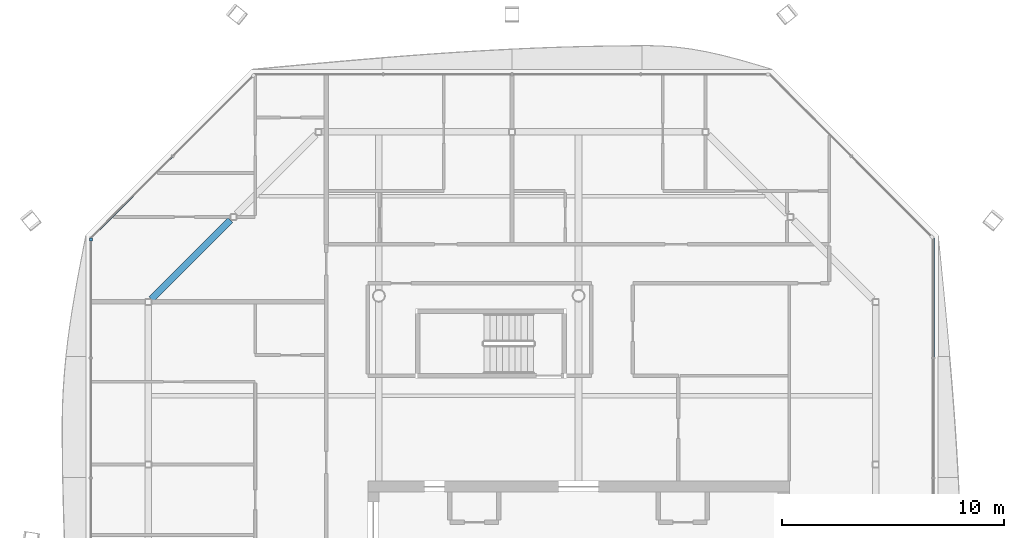
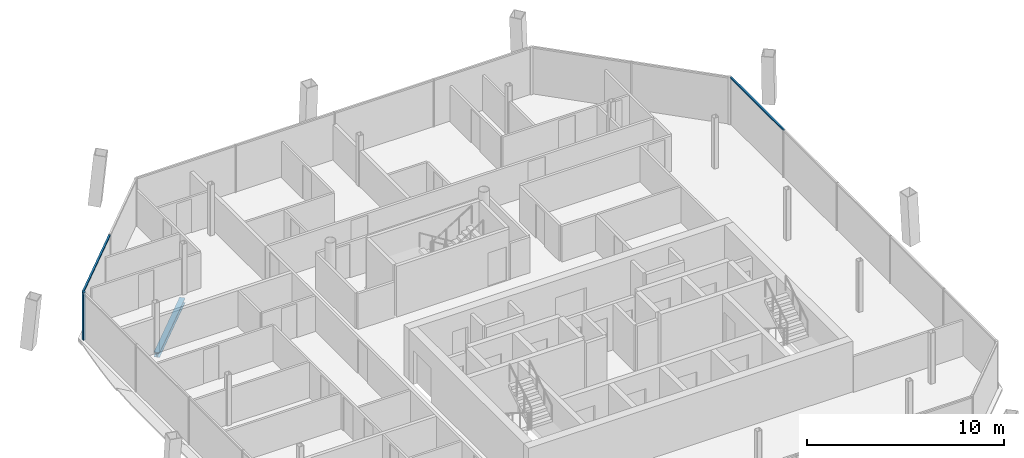
# One storey, part 8 of 18: 3 members, 1 beam, 3 elements without a shape of their own.
"""IFC4 building model written with IfcOpenShell, lengths in metres."""

from ifc_helpers import new_model, si_unit, direction, frame, origin, origin_2d, place, context, subcontext, project, spatial, rectangle, i_section, extrude, material, material_profile, profile_set, type_object, element, aggregate, save


model = new_model("IFC4")

# Units and contexts
model_context = context("Model", 3, precision=1e-05, world=origin(), true_north=direction((0.0, 1.0)))
body_context = subcontext(model_context, "Body", "Model", "MODEL_VIEW")
ifc_project = project(units=[si_unit("LENGTHUNIT", "METRE"), si_unit("AREAUNIT", "SQUARE_METRE"), si_unit("VOLUMEUNIT", "CUBIC_METRE"), si_unit("PLANEANGLEUNIT", "RADIAN"), si_unit("MASSUNIT", "GRAM", prefix="KILO")], contexts=[model_context])

# Site, building, storey
site_placement = place(None, origin())
site = spatial("IfcSite", under=ifc_project, at=site_placement, CompositionType="ELEMENT")
building_placement = place(site_placement, origin())
building = spatial("IfcBuilding", under=site, at=building_placement, Name="Tskaro Facet Tower", CompositionType="ELEMENT")
storey_placement = place(building_placement, frame((0.0, 0.0, 223.5)))
storey = spatial("IfcBuildingStorey", under=building, at=storey_placement, Name="L57", CompositionType="ELEMENT", Elevation=223.5)

# Curtain wall, member
ifc_material_1 = material(Name="Bronze anodised aluminium 6063-T6", Category="aluminium")
curtain_wall_type = type_object("IfcCurtainWallType", Name="Bronze residence curtain wall (FW3)", PredefinedType="NOTDEFINED", material=ifc_material_1)
curtain_wall_1_placement = place(storey_placement, origin())
curtain_wall_1 = element("IfcCurtainWall", 1, at=curtain_wall_1_placement, inside=storey, type_object=curtain_wall_type, Name="FW3 west facet L57", PredefinedType="NOTDEFINED")
ifc_material_profile_1 = material_profile(ifc_material_1, rectangle(XDim=0.139892578125, YDim=0.139892578125, at=origin_2d()), Name="Corner post 140x140")
ifc_profile_set_1 = profile_set([ifc_material_profile_1], Name="Bronze anodised aluminium 6063-T6")
member_type_1 = type_object("IfcMemberType", Name="FW3 bronze corner post 140x140", PredefinedType="MULLION", material=ifc_profile_set_1)
member_1_placement = place(storey_placement, frame((-21.985107421875, 11.5390625, 0.0), z_axis=(0.0, 0.0, 1.0), x_axis=(0.0, -1.0, 0.0)))
member_1 = element("IfcMember", 2, at=member_1_placement, type_object=member_type_1, Name="FW3 west corner post", PredefinedType="MULLION", context=body_context, shape_type="SweptSolid", body=[
    extrude(rectangle(XDim=0.139892578125, YDim=0.139892578125, at=origin_2d()), origin(), (0.0, 0.0, 1.0), 2.949951171875),
])
aggregate(curtain_wall_1, [member_1])

curtain_wall_2_placement = place(storey_placement, origin())
curtain_wall_2 = element("IfcCurtainWall", 3, at=curtain_wall_2_placement, inside=storey, type_object=curtain_wall_type, Name="FW3 east facet L57", PredefinedType="NOTDEFINED")
ifc_material_profile_2 = material_profile(ifc_material_1, rectangle(XDim=0.10009765625, YDim=0.090087890625, at=origin_2d()), Name="Transom 100x90")
ifc_profile_set_2 = profile_set([ifc_material_profile_2], Name="Bronze anodised aluminium 6063-T6")
member_type_2 = type_object("IfcMemberType", Name="FW3 bronze transom 100x90", PredefinedType="USERDEFINED", material=ifc_profile_set_2)
member_2_placement = place(storey_placement, frame((15.985107421875, 6.22509765625, 2.905029296875), z_axis=(0.0, 1.0, 0.0), x_axis=(-1.0, 0.0, 0.0)))
member_2 = element("IfcMember", 4, at=member_2_placement, type_object=member_type_2, Name="FW3 east transom 5.1", ObjectType="TRANSOM", PredefinedType="USERDEFINED", context=body_context, shape_type="SweptSolid", body=[
    extrude(rectangle(XDim=0.10009765625, YDim=0.090087890625, at=origin_2d()), origin(), (0.0, 0.0, 1.0), 5.3837890625),
])
aggregate(curtain_wall_2, [member_2])

curtain_wall_3_placement = place(storey_placement, origin())
curtain_wall_3 = element("IfcCurtainWall", 5, at=curtain_wall_3_placement, inside=storey, type_object=curtain_wall_type, Name="FW3 north-west facet L57", PredefinedType="NOTDEFINED")
member_3_placement = place(storey_placement, frame((-18.314697265625, 15.279296875, 2.905029296875), z_axis=(-0.707106781187, -0.707106781187, 0.0), x_axis=(0.707106781187, -0.707106781187, 0.0)))
member_3 = element("IfcMember", 6, at=member_3_placement, type_object=member_type_2, Name="FW3 north-west transom 2.1", ObjectType="TRANSOM", PredefinedType="USERDEFINED", context=body_context, shape_type="SweptSolid", body=[
    extrude(rectangle(XDim=0.10009765625, YDim=0.090087890625, at=origin_2d()), origin(), (0.0, 0.0, 1.0), 5.190673828125),
])
aggregate(curtain_wall_3, [member_3])

# Beam
ifc_material_2 = material(Name="Steel S355J2", Category="steel")
ifc_material_profile_3 = material_profile(ifc_material_2, i_section(OverallWidth=0.300048828125, OverallDepth=0.300048828125, WebThickness=0.010986328125, FlangeThickness=0.01904296875, FilletRadius=0.027099609375, at=origin_2d()), Name="HE 300 B")
ifc_profile_set_3 = profile_set([ifc_material_profile_3], Name="Steel S355J2")
beam_type = type_object("IfcBeamType", Name="HE 300 B ring beam", PredefinedType="BEAM", material=ifc_profile_set_3)
beam_placement = place(storey_placement, frame((-15.69384765625, 12.422119140625, -0.2900390625), z_axis=(-0.707106781187, -0.707106781187, 0.0), x_axis=(0.707106781187, -0.707106781187, 0.0)))
element("IfcBeam", 7, at=beam_placement, inside=storey, type_object=beam_type, Name="HE 300 B EB13-5", PredefinedType="BEAM", context=body_context, shape_type="SweptSolid", body=[
    extrude(i_section(OverallWidth=0.300048828125, OverallDepth=0.300048828125, WebThickness=0.010986328125, FlangeThickness=0.01904296875, FilletRadius=0.027099609375, at=origin_2d()), origin(), (0.0, 0.0, 1.0), 5.036376953125),
])

save(model, "model.ifc")
